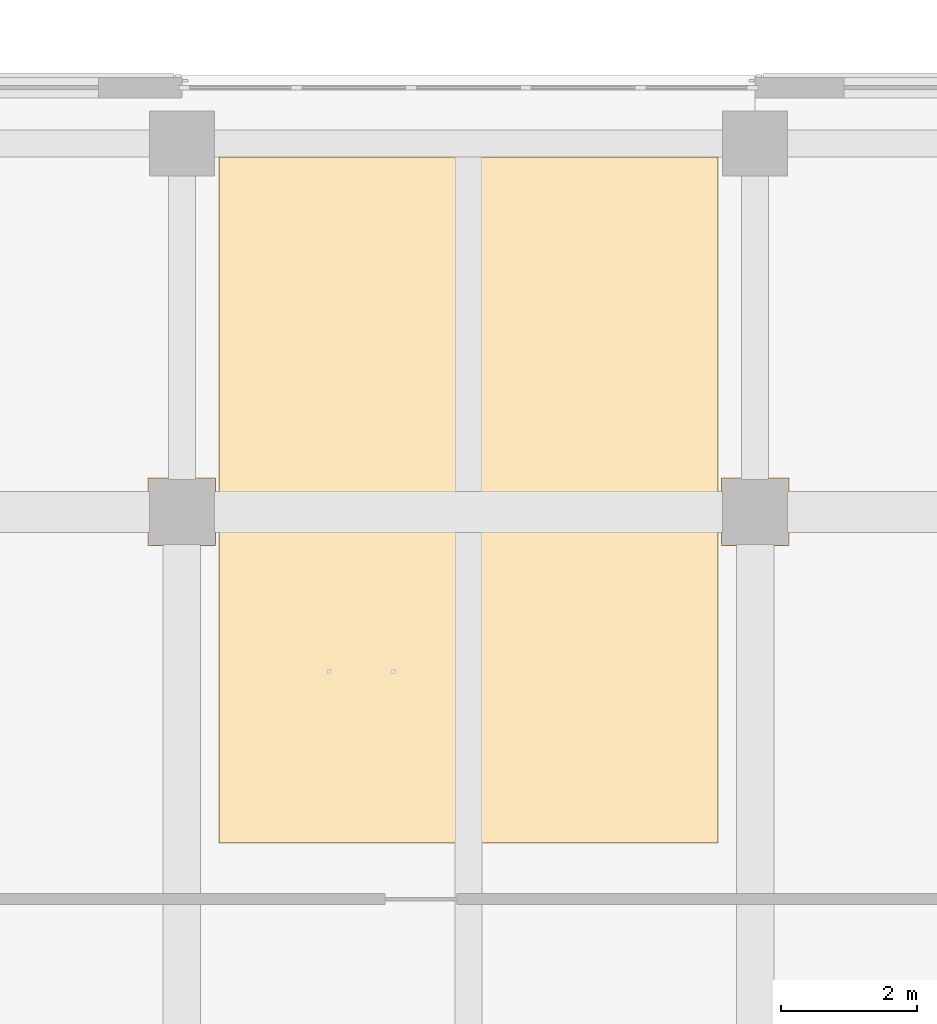
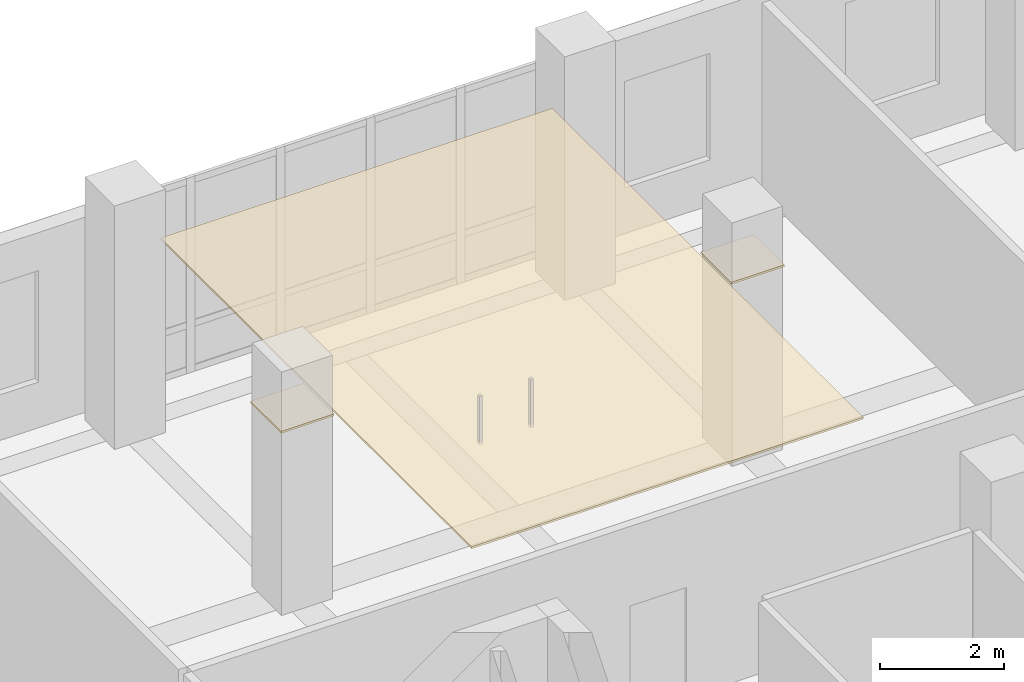
# One storey, part 107 of 122: 1 covering.
"""IFC4 building model written with IfcOpenShell, lengths in metres."""

from ifc_helpers import new_model, si_unit, direction, frame, origin, place, context, subcontext, project, spatial, polyline, outline, extrude, material, layer, layer_set, type_object, element, save


model = new_model("IFC4")

# Units and contexts
model_context = context("Model", 3, precision=1e-05, world=origin(), true_north=direction((0.0, 1.0)))
body_context = subcontext(model_context, "Body", "Model", "MODEL_VIEW")
ifc_project = project(units=[si_unit("LENGTHUNIT", "METRE"), si_unit("AREAUNIT", "SQUARE_METRE"), si_unit("VOLUMEUNIT", "CUBIC_METRE"), si_unit("PLANEANGLEUNIT", "RADIAN"), si_unit("MASSUNIT", "GRAM", prefix="KILO")], contexts=[model_context])

# Site, building, storey
site_placement = place(None, origin())
site = spatial("IfcSite", under=ifc_project, at=site_placement, CompositionType="ELEMENT")
building_placement = place(site_placement, origin())
building = spatial("IfcBuilding", under=site, at=building_placement, Name="Telukmera Botanical Conservatory", CompositionType="ELEMENT")
storey_placement = place(building_placement, frame((0.0, 0.0, 10.199951171875)))
storey = spatial("IfcBuildingStorey", under=building, at=storey_placement, Name="L02", CompositionType="ELEMENT", Elevation=10.199951171875)

# Covering
ifc_material = material(Name="Perforated gypsum acoustic ceiling")
ifc_layer = layer(ifc_material, 0.0400390625)
ifc_layer_set = layer_set([ifc_layer], Name="Perforated gypsum acoustic ceiling")
covering_type = type_object("IfcCoveringType", Name="COV-CEIL-40", PredefinedType="CEILING", material=ifc_layer_set)
covering_placement = place(storey_placement, frame((0.0, 0.0, 3.610107421875)))
element("IfcCovering", 1, at=covering_placement, inside=storey, type_object=covering_type, Name="L02 Taxonomic Microscopy Laboratory Suspended Acoustic Ceiling", PredefinedType="CEILING", context=body_context, shape_type="SweptSolid", body=[
    extrude(outline(polyline([(67.7451171875, 37.949951171875), (75.054931640625, 37.949951171875), (75.054931640625, 48.0), (67.7451171875, 48.0), (67.7451171875, 37.949951171875)]), holes=[polyline([(66.705078125, 42.304931640625), (67.695068359375, 42.304931640625), (67.695068359375, 43.294921875), (66.705078125, 43.294921875), (66.705078125, 42.304931640625)]), polyline([(75.10498046875, 42.304931640625), (76.094970703125, 42.304931640625), (76.094970703125, 43.294921875), (75.10498046875, 43.294921875), (75.10498046875, 42.304931640625)])]), origin(), (0.0, 0.0, 1.0), 0.0400390625),
])

save(model, "model.ifc")
